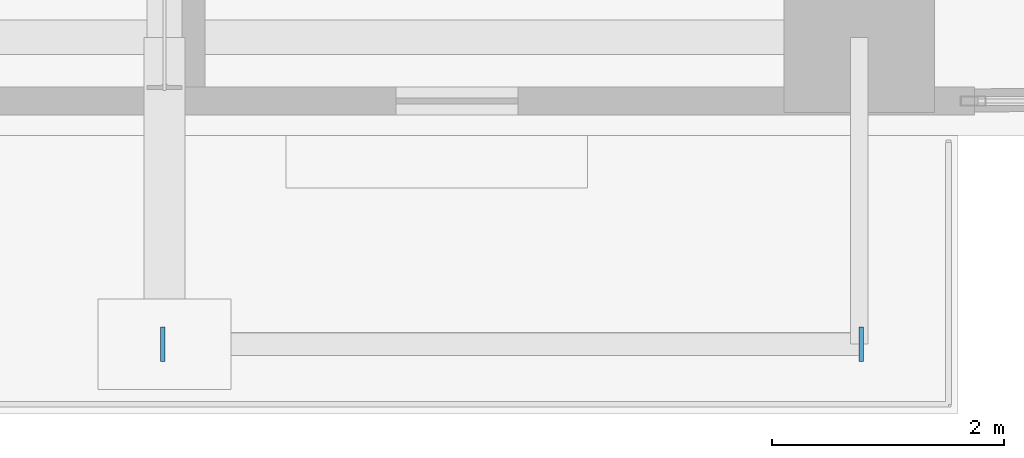
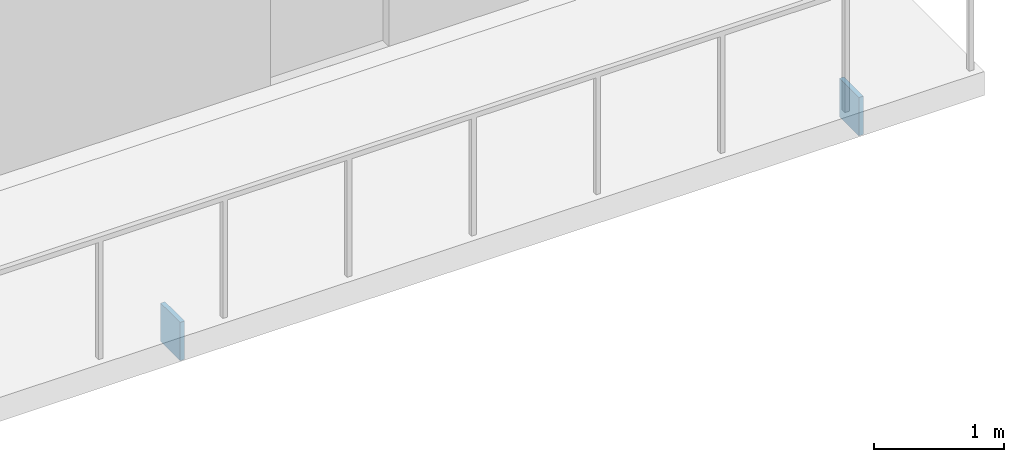
# One storey, part 19 of 27: 2 plates.
"""IFC4 building model written with IfcOpenShell, lengths in metres."""

from ifc_helpers import new_model, si_unit, direction, frame, origin, origin_2d, place, context, subcontext, project, spatial, rectangle, extrude, material, layer, layer_set, type_object, element, save


model = new_model("IFC4")

# Units and contexts
model_context = context("Model", 3, precision=1e-05, world=origin(), true_north=direction((0.0, 1.0)))
body_context = subcontext(model_context, "Body", "Model", "MODEL_VIEW")
ifc_project = project(units=[si_unit("LENGTHUNIT", "METRE"), si_unit("AREAUNIT", "SQUARE_METRE"), si_unit("VOLUMEUNIT", "CUBIC_METRE"), si_unit("PLANEANGLEUNIT", "RADIAN"), si_unit("MASSUNIT", "GRAM", prefix="KILO"), si_unit("THERMODYNAMICTEMPERATUREUNIT", "KELVIN"), si_unit("POWERUNIT", "WATT")], contexts=[model_context])

# Site, building, storey
site_placement = place(None, origin())
site = spatial("IfcSite", under=ifc_project, at=site_placement, CompositionType="ELEMENT")
building_placement = place(site_placement, origin())
building = spatial("IfcBuilding", under=site, at=building_placement, Name="Svarakhadi Broadcast Tower", CompositionType="ELEMENT")
storey_placement = place(building_placement, frame((0.0, 0.0, 71.39990234375)))
storey = spatial("IfcBuildingStorey", under=building, at=storey_placement, Name="L16", CompositionType="ELEMENT", Elevation=71.39990234375)

# Plates
ifc_material = material(Name="Steel S460ML (IS 2062 E450BR)", Category="steel")
ifc_layer = layer(ifc_material, 0.028076171875)
ifc_layer_set = layer_set([ifc_layer], Name="Steel S460ML (IS 2062 E450BR)")
plate_type = type_object("IfcPlateType", Name="Cap_Plate_CP02", PredefinedType="USERDEFINED", material=ifc_layer_set)
for number, where, z_axis, x_axis, name in (
    (1, (41.135009765625, -1.800048828125, -0.580078125), (0.0, 0.0, 1.0), (1.0, 0.0, 0.0), "L16 Balcony Spandrel End Cap Plate 1F-A"),
    (2, (47.1650390625, -1.800048828125, -0.580078125), (0.0, 0.0, 1.0), (1.0, 0.0, 0.0), "L16 Balcony Spandrel End Cap Plate 1F-B"),
):
    element("IfcPlate", number, at=place(storey_placement, frame(where, z_axis=z_axis, x_axis=x_axis)), inside=storey, type_object=plate_type, Name=name, ObjectType="FLANGE_PLATE", PredefinedType="USERDEFINED", context=body_context, shape_type="SweptSolid", body=[
        extrude(rectangle(XDim=0.0400390625, YDim=0.300048828125, at=origin_2d()), origin(), (0.0, 0.0, 1.0), 0.360107421875),
    ])

save(model, "model.ifc")
